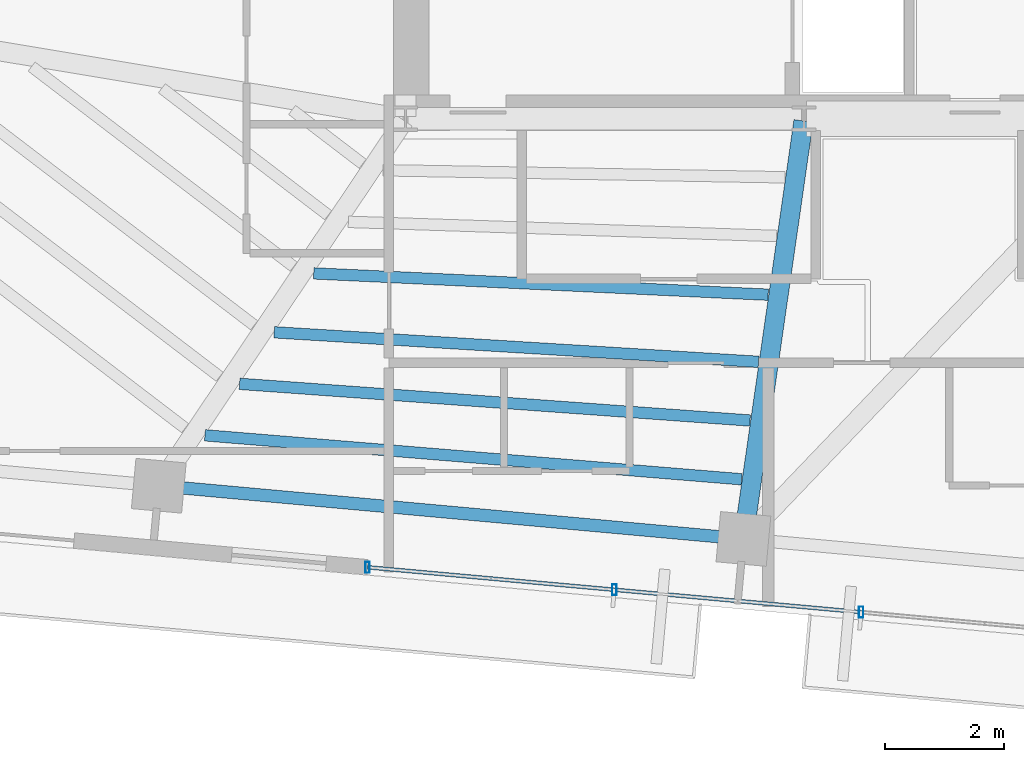
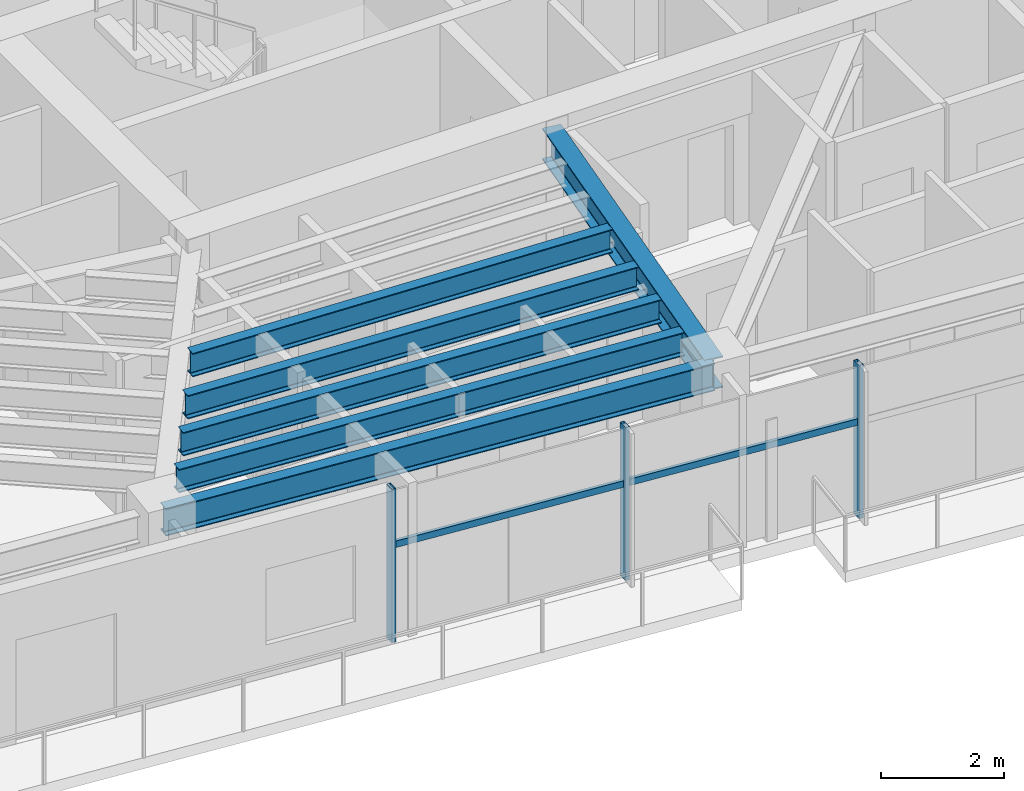
# One storey, part 6 of 22: 6 beams, 5 members, 1 element without a shape of its own.
"""IFC4 building model written with IfcOpenShell, lengths in metres."""

from ifc_helpers import new_model, si_unit, direction, frame, origin, origin_2d, place, context, subcontext, project, spatial, hollow_rectangle, i_section, extrude, source, transform, mapped, material, material_profile, profile_set, type_object, type_shapes, element, aggregate, save


model = new_model("IFC4")

# Units and contexts
model_context = context("Model", 3, precision=1e-05, world=origin(), true_north=direction((0.0, 1.0)))
body_context = subcontext(model_context, "Body", "Model", "MODEL_VIEW")
ifc_project = project(units=[si_unit("LENGTHUNIT", "METRE"), si_unit("AREAUNIT", "SQUARE_METRE"), si_unit("VOLUMEUNIT", "CUBIC_METRE"), si_unit("PLANEANGLEUNIT", "RADIAN"), si_unit("MASSUNIT", "GRAM", prefix="KILO")], contexts=[model_context])

# Site, building, storey
site_placement = place(None, origin())
site = spatial("IfcSite", under=ifc_project, at=site_placement, CompositionType="ELEMENT")
building_placement = place(site_placement, origin())
building = spatial("IfcBuilding", under=site, at=building_placement, Name="Astriad Promenade Condominiums", CompositionType="ELEMENT")
storey_placement = place(building_placement, frame((0.0, 0.0, 233.10009765625)))
storey = spatial("IfcBuildingStorey", under=building, at=storey_placement, Name="L67", CompositionType="ELEMENT", Elevation=233.10009765625)

# Beams
ifc_material_1 = material(Name="Steel ASTM A992 Grade 50", Category="steel")
ifc_material_profile_1 = material_profile(ifc_material_1, i_section(OverallWidth=0.210693359375, OverallDepth=0.53955078125, WebThickness=0.01171875, FlangeThickness=0.018798828125, FilletRadius=0.0166015625, at=origin_2d()), Name="W21X73")
ifc_profile_set_1 = profile_set([ifc_material_profile_1], Name="Steel ASTM A992 Grade 50")
beam_type_1 = type_object("IfcBeamType", Name="STEEL SPANDREL BEAM W21X73", PredefinedType="SPANDREL", material=ifc_profile_set_1)
shared_shape_1 = source(origin(), body_context, "Body", "SweptSolid", [
    extrude(i_section(OverallWidth=0.210693359375, OverallDepth=0.53955078125, WebThickness=0.01171875, FlangeThickness=0.018798828125, FilletRadius=0.0166015625, at=origin_2d()), origin(), (0.0, 0.0, 1.0), 9.81982421875),
])
type_shapes(beam_type_1, [shared_shape_1])
beam_1_placement = place(storey_placement, frame((22.281005859375, 11.205322265625, 2.77001953125), z_axis=(0.995885459014, -0.090620927631, 0.0), x_axis=(0.090620927631, 0.995885459014, 0.0)))
element("IfcBeam", 1, at=beam_1_placement, inside=storey, type_object=beam_type_1, Name="Perimeter Spandrel Beam SP-S2-L67", PredefinedType="SPANDREL", context=body_context, shape_type="MappedRepresentation", body=[
    mapped(shared_shape_1, transform((0.0, 0.0, 0.0), scale=1.0)),
])
ifc_material_profile_2 = material_profile(ifc_material_1, i_section(OverallWidth=0.326416015625, OverallDepth=0.621826171875, WebThickness=0.015380859375, FlangeThickness=0.0244140625, FilletRadius=0.017822265625, at=origin_2d()), Name="W24X131")
ifc_profile_set_2 = profile_set([ifc_material_profile_2], Name="Steel ASTM A992 Grade 50")
beam_type_2 = type_object("IfcBeamType", Name="STEEL FLOOR GIRDER W24X131", PredefinedType="BEAM", material=ifc_profile_set_2)
shared_shape_2 = source(origin(), body_context, "Body", "SweptSolid", [
    extrude(i_section(OverallWidth=0.326416015625, OverallDepth=0.621826171875, WebThickness=0.015380859375, FlangeThickness=0.0244140625, FilletRadius=0.017822265625, at=origin_2d()), origin(), (0.0, 0.0, 1.0), 7.081298828125),
])
type_shapes(beam_type_2, [shared_shape_2])
beam_2_placement = place(storey_placement, frame((32.10595703125, 10.351318359375, 2.72900390625), z_axis=(0.142391481124, 0.989810419274, 0.0), x_axis=(-0.989810419274, 0.142391481124, 0.0)))
element("IfcBeam", 2, at=beam_2_placement, inside=storey, type_object=beam_type_2, Name="Primary Floor Girder PG-C1-L67", PredefinedType="BEAM", context=body_context, shape_type="MappedRepresentation", body=[
    mapped(shared_shape_2, transform((0.0, 0.0, 0.0), scale=1.0)),
])
ifc_material_profile_3 = material_profile(ifc_material_1, i_section(OverallWidth=0.19287109375, OverallDepth=0.466064453125, WebThickness=0.011474609375, FlangeThickness=0.01904296875, FilletRadius=0.01513671875, at=origin_2d()), Name="W18X65")
ifc_profile_set_3 = profile_set([ifc_material_profile_3], Name="Steel ASTM A992 Grade 50")
beam_type_3 = type_object("IfcBeamType", Name="STEEL FLOOR JOIST W18X65", PredefinedType="JOIST", material=ifc_profile_set_3)
shared_shape_3 = source(origin(), body_context, "Body", "SweptSolid", [
    extrude(i_section(OverallWidth=0.19287109375, OverallDepth=0.466064453125, WebThickness=0.011474609375, FlangeThickness=0.01904296875, FilletRadius=0.01513671875, at=origin_2d()), origin(), (0.0, 0.0, 1.0), 9.08056640625),
])
beam_3_placement = place(storey_placement, frame((23.019775390625, 12.059814453125, 2.806884765625), z_axis=(0.996660857814, -0.081652522934, 0.0), x_axis=(0.081652522934, 0.996660857814, 0.0)))
element("IfcBeam", 3, at=beam_3_placement, inside=storey, type_object=beam_type_3, Name="Secondary Composite Floor Joist JCW-1-L67", PredefinedType="JOIST", context=body_context, shape_type="MappedRepresentation", body=[
    mapped(shared_shape_3, transform((0.0, 0.0, 0.0), scale=1.0)),
])
shared_shape_4 = source(origin(), body_context, "Body", "SweptSolid", [
    extrude(i_section(OverallWidth=0.19287109375, OverallDepth=0.466064453125, WebThickness=0.011474609375, FlangeThickness=0.01904296875, FilletRadius=0.01513671875, at=origin_2d()), origin(), (0.0, 0.0, 1.0), 8.631591796875),
])
beam_4_placement = place(storey_placement, frame((23.603271484375, 12.92822265625, 2.806884765625), z_axis=(0.997424124914, -0.071729457259, 0.0), x_axis=(0.071729457259, 0.997424124914, 0.0)))
element("IfcBeam", 4, at=beam_4_placement, inside=storey, type_object=beam_type_3, Name="Secondary Composite Floor Joist JCW-2-L67", PredefinedType="JOIST", context=body_context, shape_type="MappedRepresentation", body=[
    mapped(shared_shape_4, transform((0.0, 0.0, 0.0), scale=1.0)),
])
shared_shape_5 = source(origin(), body_context, "Body", "SweptSolid", [
    extrude(i_section(OverallWidth=0.19287109375, OverallDepth=0.466064453125, WebThickness=0.011474609375, FlangeThickness=0.01904296875, FilletRadius=0.01513671875, at=origin_2d()), origin(), (0.0, 0.0, 1.0), 8.183349609375),
])
beam_5_placement = place(storey_placement, frame((24.186767578125, 13.797119140625, 2.806884765625), z_axis=(0.998148077796, -0.06083103478, 0.0), x_axis=(0.06083103478, 0.998148077796, 0.0)))
element("IfcBeam", 5, at=beam_5_placement, inside=storey, type_object=beam_type_3, Name="Secondary Composite Floor Joist JCW-3-L67", PredefinedType="JOIST", context=body_context, shape_type="MappedRepresentation", body=[
    mapped(shared_shape_5, transform((0.0, 0.0, 0.0), scale=1.0)),
])
shared_shape_6 = source(origin(), body_context, "Body", "SweptSolid", [
    extrude(i_section(OverallWidth=0.19287109375, OverallDepth=0.466064453125, WebThickness=0.011474609375, FlangeThickness=0.01904296875, FilletRadius=0.01513671875, at=origin_2d()), origin(), (0.0, 0.0, 1.0), 7.672119140625),
])
type_shapes(beam_type_3, [shared_shape_3, shared_shape_4, shared_shape_5, shared_shape_6])
beam_6_placement = place(storey_placement, frame((24.85400390625, 14.790283203125, 2.806884765625), z_axis=(0.998903848677, -0.04680919886, 0.0), x_axis=(0.04680919886, 0.998903848677, 0.0)))
element("IfcBeam", 6, at=beam_6_placement, inside=storey, type_object=beam_type_3, Name="Secondary Composite Floor Joist JCW-4-L67", PredefinedType="JOIST", context=body_context, shape_type="MappedRepresentation", body=[
    mapped(shared_shape_6, transform((0.0, 0.0, 0.0), scale=1.0)),
])

# Curtain wall, members
ifc_material_2 = material(Name="Anodised aluminium Black Dark Glass Unitised", Category="aluminium")
curtain_wall_type = type_object("IfcCurtainWallType", Name="CW-B5-DARK", PredefinedType="USERDEFINED", material=ifc_material_2)
curtain_wall_placement = place(storey_placement, origin())
curtain_wall = element("IfcCurtainWall", 7, at=curtain_wall_placement, inside=storey, type_object=curtain_wall_type, Name="CW-L67-S", ObjectType="UNITISED_CURTAIN_WALL", PredefinedType="USERDEFINED")
ifc_material_3 = material(Name="Anodised aluminium 6063-T6 Black", Category="aluminium")
ifc_material_profile_4 = material_profile(ifc_material_3, hollow_rectangle(XDim=0.074951171875, YDim=0.18505859375, WallThickness=0.00439453125, at=origin_2d()), Name="ALU-MUL-75X185")
ifc_profile_set_4 = profile_set([ifc_material_profile_4], Name="Anodised aluminium 6063-T6 Black")
member_type_1 = type_object("IfcMemberType", Name="MUL-ALU-MUL-75X185", PredefinedType="MULLION", material=ifc_profile_set_4)
shared_shape_7 = source(origin(), body_context, "Body", "SweptSolid", [
    extrude(hollow_rectangle(XDim=0.074951171875, YDim=0.18505859375, WallThickness=0.00439453125, at=origin_2d()), origin(), (0.0, 0.0, 1.0), 3.039794921875),
])
type_shapes(member_type_1, [shared_shape_7])
member_1_placement = place(storey_placement, frame((34.086669921875, 9.07666015625, 0.0), z_axis=(0.0, 0.0, 1.0), x_axis=(1.0, 0.0, 0.0)))
member_1 = element("IfcMember", 8, at=member_1_placement, type_object=member_type_1, Name="CW-L67-S-MUL-01", PredefinedType="MULLION", context=body_context, shape_type="MappedRepresentation", body=[
    mapped(shared_shape_7, transform((0.0, 0.0, 0.0), scale=1.0)),
])
member_2_placement = place(storey_placement, frame((29.923828125, 9.45556640625, 0.0), z_axis=(0.0, 0.0, 1.0), x_axis=(1.0, 0.0, 0.0)))
member_2 = element("IfcMember", 9, at=member_2_placement, type_object=member_type_1, Name="CW-L67-S-MUL-02", PredefinedType="MULLION", context=body_context, shape_type="MappedRepresentation", body=[
    mapped(shared_shape_7, transform((0.0, 0.0, 0.0), scale=1.0)),
])
member_3_placement = place(storey_placement, frame((25.760986328125, 9.83447265625, 0.0), z_axis=(0.0, 0.0, 1.0), x_axis=(1.0, 0.0, 0.0)))
member_3 = element("IfcMember", 10, at=member_3_placement, type_object=member_type_1, Name="CW-L67-S-MUL-03", PredefinedType="MULLION", context=body_context, shape_type="MappedRepresentation", body=[
    mapped(shared_shape_7, transform((0.0, 0.0, 0.0), scale=1.0)),
])
ifc_material_profile_5 = material_profile(ifc_material_3, hollow_rectangle(XDim=0.06494140625, YDim=0.1298828125, WallThickness=0.00390625, at=origin_2d()), Name="ALU-TRN-65X130")
ifc_profile_set_5 = profile_set([ifc_material_profile_5], Name="Anodised aluminium 6063-T6 Black")
member_type_2 = type_object("IfcMemberType", Name="TRN-ALU-TRN-65X130", PredefinedType="USERDEFINED", material=ifc_profile_set_5)
shared_shape_8 = source(origin(), body_context, "Body", "SweptSolid", [
    extrude(hollow_rectangle(XDim=0.06494140625, YDim=0.1298828125, WallThickness=0.00390625, at=origin_2d()), origin(), (0.0, 0.0, 1.0), 4.179931640625),
])
type_shapes(member_type_2, [shared_shape_8])
member_4_placement = place(storey_placement, frame((34.086669921875, 9.07666015625, 1.884765625), z_axis=(-0.995883146811, 0.090646334165, 0.0), x_axis=(-0.090646334165, -0.995883146811, 0.0)))
member_4 = element("IfcMember", 11, at=member_4_placement, type_object=member_type_2, Name="CW-L67-S-TRN-01-0", ObjectType="TRANSOM", PredefinedType="USERDEFINED", context=body_context, shape_type="MappedRepresentation", body=[
    mapped(shared_shape_8, transform((0.0, 0.0, 0.0), scale=1.0)),
])
member_5_placement = place(storey_placement, frame((29.923828125, 9.45556640625, 1.884765625), z_axis=(-0.995883146811, 0.090646334165, 0.0), x_axis=(-0.090646334165, -0.995883146811, 0.0)))
member_5 = element("IfcMember", 12, at=member_5_placement, type_object=member_type_2, Name="CW-L67-S-TRN-02-0", ObjectType="TRANSOM", PredefinedType="USERDEFINED", context=body_context, shape_type="MappedRepresentation", body=[
    mapped(shared_shape_8, transform((0.0, 0.0, 0.0), scale=1.0)),
])
aggregate(curtain_wall, [member_1, member_2, member_3, member_4, member_5])

save(model, "model.ifc")
